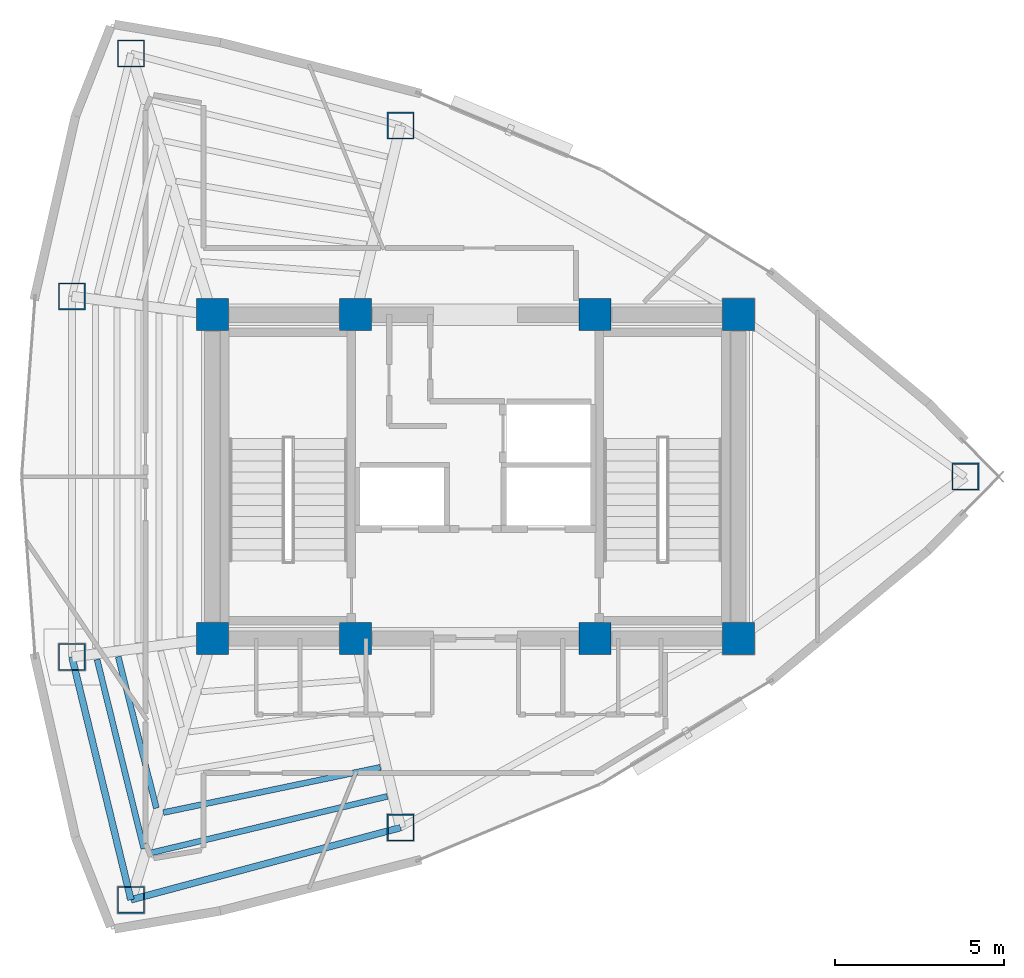
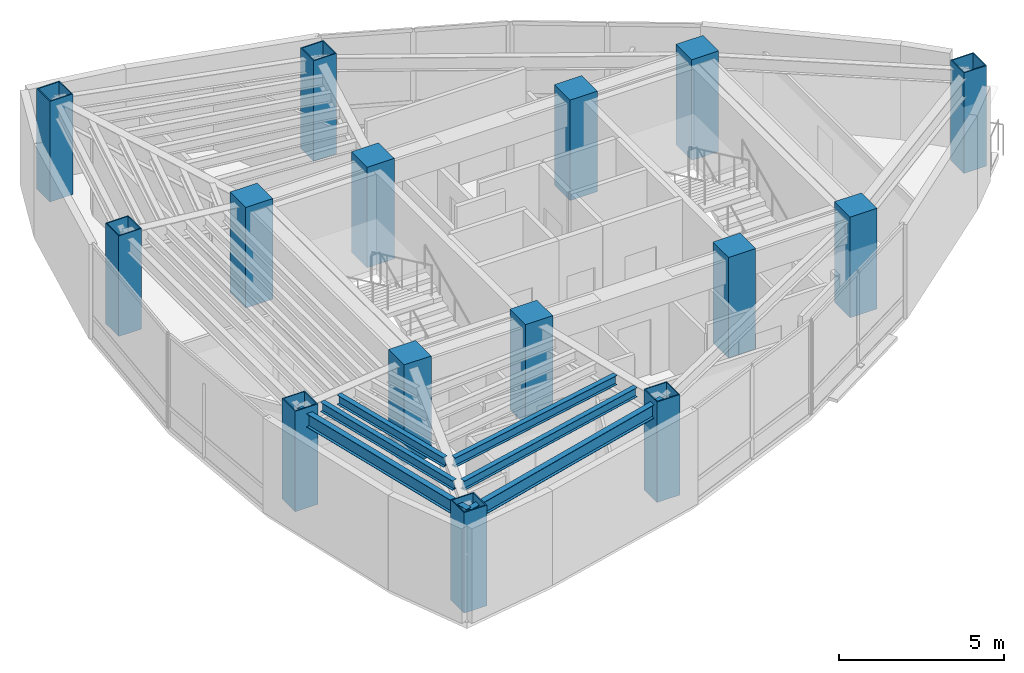
# One storey, part 1 of 15: 15 columns, 6 beams.
"""IFC4 building model written with IfcOpenShell, lengths in metres."""

from ifc_helpers import new_model, si_unit, direction, frame, origin, origin_2d, place, context, subcontext, project, spatial, rectangle, hollow_rectangle, i_section, extrude, material, material_profile, profile_set, type_object, element, save


model = new_model("IFC4")

# Units and contexts
model_context = context("Model", 3, precision=1e-05, world=origin(), true_north=direction((0.0, 1.0)))
body_context = subcontext(model_context, "Body", "Model", "MODEL_VIEW")
ifc_project = project(units=[si_unit("LENGTHUNIT", "METRE"), si_unit("AREAUNIT", "SQUARE_METRE"), si_unit("VOLUMEUNIT", "CUBIC_METRE"), si_unit("PLANEANGLEUNIT", "RADIAN"), si_unit("MASSUNIT", "GRAM", prefix="KILO")], contexts=[model_context])

# Site, building, storey
site_placement = place(None, origin())
site = spatial("IfcSite", under=ifc_project, at=site_placement, CompositionType="ELEMENT")
building_placement = place(site_placement, origin())
building = spatial("IfcBuilding", under=site, at=building_placement, Name="Menara Vayukalpa", CompositionType="ELEMENT")
storey_placement = place(building_placement, frame((0.0, 0.0, 269.4599609375)))
storey = spatial("IfcBuildingStorey", under=building, at=storey_placement, Name="L68", CompositionType="ELEMENT", Elevation=269.4599609375)

# Columns
ifc_material_1 = material(Name="Concrete C60/75", Category="concrete")
ifc_material_profile_1 = material_profile(ifc_material_1, rectangle(XDim=0.949951171875, YDim=0.949951171875, at=origin_2d()), Name="RC 950x950")
ifc_profile_set_1 = profile_set([ifc_material_profile_1], Name="Concrete C60/75")
column_type_1 = type_object("IfcColumnType", Name="COL-CC2", PredefinedType="COLUMN", material=ifc_profile_set_1)
for number, where, z_axis, x_axis, name in (
    (1, (17.800048828125, 17.199951171875, 0.0), (0.0, 0.0, 1.0), (1.0, 0.0, 0.0), "L68 Core Pilaster Column CC1"),
    (2, (22.050048828125, 17.199951171875, 0.0), (0.0, 0.0, 1.0), (1.0, 0.0, 0.0), "L68 Core Pilaster Column CC2"),
    (3, (29.14990234375, 17.199951171875, 0.0), (0.0, 0.0, 1.0), (1.0, 0.0, 0.0), "L68 Core Pilaster Column CC3"),
    (4, (33.39990234375, 17.199951171875, 0.0), (0.0, 0.0, 1.0), (1.0, 0.0, 0.0), "L68 Core Pilaster Column CC4"),
    (5, (17.800048828125, 26.800048828125, 0.0), (0.0, 0.0, 1.0), (1.0, 0.0, 0.0), "L68 Core Pilaster Column CC5"),
    (6, (22.050048828125, 26.800048828125, 0.0), (0.0, 0.0, 1.0), (1.0, 0.0, 0.0), "L68 Core Pilaster Column CC6"),
    (7, (29.14990234375, 26.800048828125, 0.0), (0.0, 0.0, 1.0), (1.0, 0.0, 0.0), "L68 Core Pilaster Column CC7"),
    (8, (33.39990234375, 26.800048828125, 0.0), (0.0, 0.0, 1.0), (1.0, 0.0, 0.0), "L68 Core Pilaster Column CC8"),
):
    element("IfcColumn", number, at=place(storey_placement, frame(where, z_axis=z_axis, x_axis=x_axis)), inside=storey, type_object=column_type_1, Name=name, PredefinedType="COLUMN", context=body_context, shape_type="SweptSolid", body=[
        extrude(rectangle(XDim=0.949951171875, YDim=0.949951171875, at=origin_2d()), origin(), (0.0, 0.0, 1.0), 3.719970703125),
    ])
ifc_material_2 = material(Name="Steel S355", Category="steel")
ifc_material_profile_2 = material_profile(ifc_material_2, hollow_rectangle(XDim=0.800048828125, YDim=0.800048828125, WallThickness=0.034912109375, at=origin_2d()), Name="BOX 800x800x35")
ifc_profile_set_2 = profile_set([ifc_material_profile_2], Name="Steel S355")
column_type_2 = type_object("IfcColumnType", Name="COL-MC5", PredefinedType="COLUMN", material=ifc_profile_set_2)
for number, where, z_axis, x_axis, name in (
    (9, (40.121826171875, 22.0, 0.0), (0.0, 0.0, 1.0), (1.0, 0.0, 0.0), "L68 Perimeter Mega Column P01"),
    (10, (23.3818359375, 32.40478515625, 0.0), (0.0, 0.0, 1.0), (1.0, 0.0, 0.0), "L68 Perimeter Mega Column P03"),
    (11, (15.38916015625, 34.544677734375, 0.0), (0.0, 0.0, 1.0), (1.0, 0.0, 0.0), "L68 Perimeter Mega Column P04"),
    (12, (13.638916015625, 27.3466796875, 0.0), (0.0, 0.0, 1.0), (1.0, 0.0, 0.0), "L68 Perimeter Mega Column P05"),
    (13, (13.638916015625, 16.6533203125, 0.0), (0.0, 0.0, 1.0), (1.0, 0.0, 0.0), "L68 Perimeter Mega Column P06"),
    (14, (15.38916015625, 9.455322265625, 0.0), (0.0, 0.0, 1.0), (1.0, 0.0, 0.0), "L68 Perimeter Mega Column P07"),
    (15, (23.3818359375, 11.59521484375, 0.0), (0.0, 0.0, 1.0), (1.0, 0.0, 0.0), "L68 Perimeter Mega Column P08"),
):
    element("IfcColumn", number, at=place(storey_placement, frame(where, z_axis=z_axis, x_axis=x_axis)), inside=storey, type_object=column_type_2, Name=name, PredefinedType="COLUMN", context=body_context, shape_type="SweptSolid", body=[
        extrude(hollow_rectangle(XDim=0.800048828125, YDim=0.800048828125, WallThickness=0.034912109375, at=origin_2d()), origin(), (0.0, 0.0, 1.0), 3.719970703125),
    ])

# Beams
ifc_material_3 = material(Name="Steel S355", Category="steel")
ifc_material_profile_3 = material_profile(ifc_material_3, i_section(OverallWidth=0.175048828125, OverallDepth=0.35009765625, WebThickness=0.007080078125, FlangeThickness=0.010986328125, at=origin_2d()), Name="WF 350x175x7x11")
ifc_profile_set_3 = profile_set([ifc_material_profile_3], Name="Steel S355")
beam_type_1 = type_object("IfcBeamType", Name="BM-SJ3", PredefinedType="JOIST", material=ifc_profile_set_3)
beam_1_placement = place(storey_placement, frame((15.010986328125, 16.6630859375, 3.324951171875), z_axis=(0.244247063973, -0.969713035769, 0.0), x_axis=(0.969713035769, 0.244247063973, 0.0)))
element("IfcBeam", 16, at=beam_1_placement, inside=storey, type_object=beam_type_1, Name="L68 Secondary Floor Joist SJ06-4", PredefinedType="JOIST", context=body_context, shape_type="SweptSolid", body=[
    extrude(i_section(OverallWidth=0.175048828125, OverallDepth=0.35009765625, WebThickness=0.007080078125, FlangeThickness=0.010986328125, at=origin_2d()), origin(), (0.0, 0.0, 1.0), 4.630859375),
])
beam_2_placement = place(storey_placement, frame((14.384033203125, 16.580810546875, 3.324951171875), z_axis=(0.239671161383, -0.970854126222, 0.0), x_axis=(0.970854126222, 0.239671161383, 0.0)))
element("IfcBeam", 17, at=beam_2_placement, inside=storey, type_object=beam_type_1, Name="L68 Secondary Floor Joist SJ06-5", PredefinedType="JOIST", context=body_context, shape_type="SweptSolid", body=[
    extrude(i_section(OverallWidth=0.175048828125, OverallDepth=0.35009765625, WebThickness=0.007080078125, FlangeThickness=0.010986328125, at=origin_2d()), origin(), (0.0, 0.0, 1.0), 5.77783203125),
])
beam_3_placement = place(storey_placement, frame((16.35009765625, 12.0419921875, 3.324951171875), z_axis=(0.978941451827, 0.204141210671, 0.0), x_axis=(-0.204141210671, 0.978941451827, 0.0)))
element("IfcBeam", 18, at=beam_3_placement, inside=storey, type_object=beam_type_1, Name="L68 Secondary Floor Joist SJ07-4", PredefinedType="JOIST", context=body_context, shape_type="SweptSolid", body=[
    extrude(i_section(OverallWidth=0.175048828125, OverallDepth=0.35009765625, WebThickness=0.007080078125, FlangeThickness=0.010986328125, at=origin_2d()), origin(), (0.0, 0.0, 1.0), 6.570556640625),
])
beam_4_placement = place(storey_placement, frame((15.97509765625, 10.845947265625, 3.324951171875), z_axis=(0.972642465748, 0.232307197097, 0.0), x_axis=(-0.232307197097, 0.972642465748, 0.0)))
element("IfcBeam", 19, at=beam_4_placement, inside=storey, type_object=beam_type_1, Name="L68 Secondary Floor Joist SJ07-5", PredefinedType="JOIST", context=body_context, shape_type="SweptSolid", body=[
    extrude(i_section(OverallWidth=0.175048828125, OverallDepth=0.35009765625, WebThickness=0.007080078125, FlangeThickness=0.010986328125, at=origin_2d()), origin(), (0.0, 0.0, 1.0), 7.20947265625),
])
ifc_material_4 = material(Name="Steel S355", Category="steel")
ifc_material_profile_4 = material_profile(ifc_material_4, i_section(OverallWidth=0.199951171875, OverallDepth=0.5, WebThickness=0.010009765625, FlangeThickness=0.01611328125, at=origin_2d()), Name="WF 500x200x10x16")
ifc_profile_set_4 = profile_set([ifc_material_profile_4], Name="Steel S355")
beam_type_2 = type_object("IfcBeamType", Name="BM-SP3", PredefinedType="SPANDREL", material=ifc_profile_set_4)
beam_5_placement = place(storey_placement, frame((13.638916015625, 16.6533203125, 3.25), z_axis=(0.236272525754, -0.97168682896, 0.0), x_axis=(0.97168682896, 0.236272525754, 0.0)))
element("IfcBeam", 20, at=beam_5_placement, inside=storey, type_object=beam_type_2, Name="L68 Perimeter Spandrel Beam SP06", PredefinedType="SPANDREL", context=body_context, shape_type="SweptSolid", body=[
    extrude(i_section(OverallWidth=0.199951171875, OverallDepth=0.5, WebThickness=0.010009765625, FlangeThickness=0.01611328125, at=origin_2d()), origin(), (0.0, 0.0, 1.0), 7.40771484375),
])
beam_6_placement = place(storey_placement, frame((15.38916015625, 9.455322265625, 3.25), z_axis=(0.965978332552, 0.258623009494, 0.0), x_axis=(-0.258623009494, 0.965978332552, 0.0)))
element("IfcBeam", 21, at=beam_6_placement, inside=storey, type_object=beam_type_2, Name="L68 Perimeter Spandrel Beam SP07", PredefinedType="SPANDREL", context=body_context, shape_type="SweptSolid", body=[
    extrude(i_section(OverallWidth=0.199951171875, OverallDepth=0.5, WebThickness=0.010009765625, FlangeThickness=0.01611328125, at=origin_2d()), origin(), (0.0, 0.0, 1.0), 8.274169921875),
])

save(model, "model.ifc")
